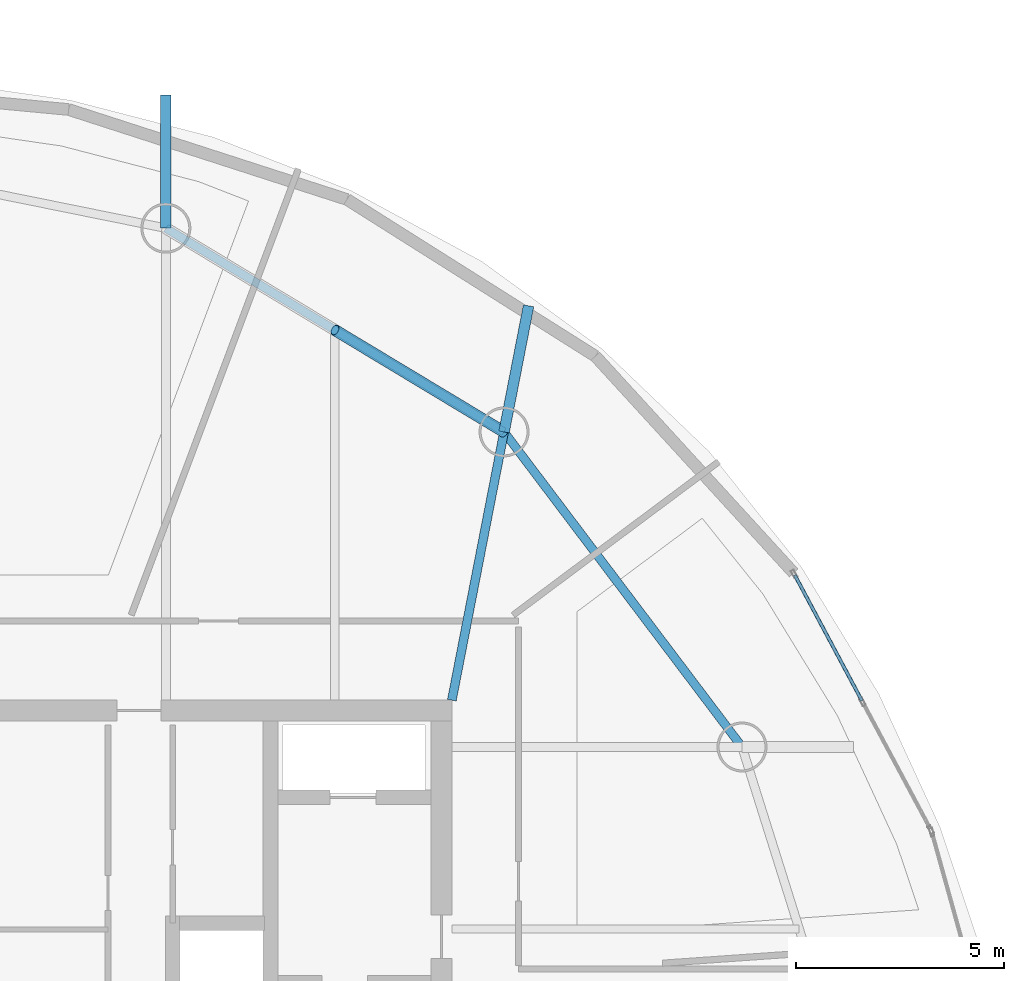
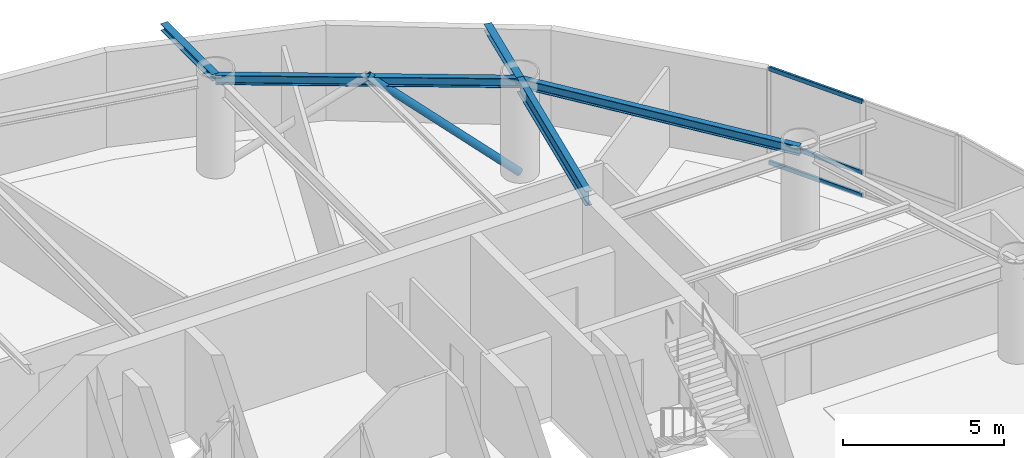
# One storey, part 14 of 22: 5 beams, 4 members, 1 element without a shape of its own.
"""IFC4 building model written with IfcOpenShell, lengths in metres."""

from ifc_helpers import new_model, si_unit, direction, frame, origin, origin_2d, place, context, subcontext, project, spatial, hollow_rectangle, hollow_circle, i_section, extrude, material, layer, layer_set, material_profile, profile_set, type_object, element, aggregate, save


model = new_model("IFC4")

# Units and contexts
model_context = context("Model", 3, precision=1e-05, world=origin(), true_north=direction((0.0, 1.0)))
body_context = subcontext(model_context, "Body", "Model", "MODEL_VIEW")
ifc_project = project(units=[si_unit("LENGTHUNIT", "METRE"), si_unit("AREAUNIT", "SQUARE_METRE"), si_unit("VOLUMEUNIT", "CUBIC_METRE"), si_unit("PLANEANGLEUNIT", "RADIAN"), si_unit("MASSUNIT", "GRAM", prefix="KILO")], contexts=[model_context])

# Site, building, storey
site_placement = place(None, origin())
site = spatial("IfcSite", under=ifc_project, at=site_placement, CompositionType="ELEMENT")
building_placement = place(site_placement, origin())
building = spatial("IfcBuilding", under=site, at=building_placement, Name="Bramvorn Convention Spire", CompositionType="ELEMENT")
storey_placement = place(building_placement, frame((0.0, 0.0, 190.449951171875)))
storey = spatial("IfcBuildingStorey", under=building, at=storey_placement, Name="L48", CompositionType="ELEMENT", Elevation=190.449951171875)

# Beams
ifc_material_1 = material(Name="Steel CSA G40.21 Grade 350 (350W)", Category="steel")
ifc_material_profile_1 = material_profile(ifc_material_1, i_section(OverallWidth=0.25390625, OverallDepth=0.2529296875, WebThickness=0.008544921875, FlangeThickness=0.01416015625, FilletRadius=0.011962890625, at=origin_2d()))
ifc_profile_set_1 = profile_set([ifc_material_profile_1], Name="Steel CSA G40.21 Grade 350 (350W) - W250X73")
beam_type_1 = type_object("IfcBeamType", Name="BM-W250X73", PredefinedType="BEAM", material=ifc_profile_set_1)
beam_1_placement = place(storey_placement, frame((50.501953125, 39.885009765625, 3.49365234375), z_axis=(0.190979906738, 0.981593946203, 0.0), x_axis=(-0.981593946203, 0.190979906738, 0.0)))
element("IfcBeam", 1, at=beam_1_placement, inside=storey, type_object=beam_type_1, Name="L48 slab-edge cantilever tip beam MC05", PredefinedType="BEAM", context=body_context, shape_type="SweptSolid", body=[
    extrude(i_section(OverallWidth=0.25390625, OverallDepth=0.2529296875, WebThickness=0.008544921875, FlangeThickness=0.01416015625, FilletRadius=0.011962890625, at=origin_2d()), origin(), (0.0, 0.0, 1.0), 3.08203125),
])
beam_2_placement = place(storey_placement, frame((42.38916015625, 44.772216796875, 3.49365234375), z_axis=(0.0, 1.0, 0.0), x_axis=(-1.0, 0.0, 0.0)))
element("IfcBeam", 2, at=beam_2_placement, inside=storey, type_object=beam_type_1, Name="L48 slab-edge cantilever tip beam MC06", PredefinedType="BEAM", context=body_context, shape_type="SweptSolid", body=[
    extrude(i_section(OverallWidth=0.25390625, OverallDepth=0.2529296875, WebThickness=0.008544921875, FlangeThickness=0.01416015625, FilletRadius=0.011962890625, at=origin_2d()), origin(), (0.0, 0.0, 1.0), 3.199951171875),
])
ifc_material_profile_2 = material_profile(ifc_material_1, i_section(OverallWidth=0.205078125, OverallDepth=0.35400390625, WebThickness=0.009521484375, FlangeThickness=0.016845703125, FilletRadius=0.014892578125, at=origin_2d()))
ifc_profile_set_2 = profile_set([ifc_material_profile_2], Name="Steel CSA G40.21 Grade 350 (350W) - W360X79")
beam_type_2 = type_object("IfcBeamType", Name="BM-W360X79", PredefinedType="JOIST", material=ifc_profile_set_2)
for number, where, z_axis, x_axis, name in (
    (3, (56.21044921875, 32.327392578125, 3.443115234375), (-0.602718581414, 0.797953827999, 0.0), (-0.797953827999, -0.602718581414, 0.0), "L48 mega-column ring beam 04"),
    (4, (50.501953125, 39.885009765625, 3.443115234375), (-0.856581795745, 0.516011266543, 0.0), (-0.516011266543, -0.856581795745, 0.0), "L48 mega-column ring beam 05"),
):
    element("IfcBeam", number, at=place(storey_placement, frame(where, z_axis=z_axis, x_axis=x_axis)), inside=storey, type_object=beam_type_2, Name=name, PredefinedType="JOIST", context=body_context, shape_type="SweptSolid", body=[
        extrude(i_section(OverallWidth=0.205078125, OverallDepth=0.35400390625, WebThickness=0.009521484375, FlangeThickness=0.016845703125, FilletRadius=0.014892578125, at=origin_2d()), origin(), (0.0, 0.0, 1.0), 9.47119140625),
    ])
ifc_material_profile_3 = material_profile(ifc_material_1, i_section(OverallWidth=0.2119140625, OverallDepth=0.5439453125, WebThickness=0.01318359375, FlangeThickness=0.021240234375, FilletRadius=0.01904296875, at=origin_2d()))
ifc_profile_set_3 = profile_set([ifc_material_profile_3], Name="Steel CSA G40.21 Grade 350 (350W) - W530X123")
beam_type_3 = type_object("IfcBeamType", Name="BM-W530X123", PredefinedType="BEAM", material=ifc_profile_set_3)
beam_3_placement = place(storey_placement, frame((49.25, 33.449951171875, 3.34814453125), z_axis=(0.190971329886, 0.981595614885, 0.0), x_axis=(-0.981595614885, 0.190971329886, 0.0)))
element("IfcBeam", 5, at=beam_3_placement, inside=storey, type_object=beam_type_3, Name="L48 radial floor girder MC05", PredefinedType="BEAM", context=body_context, shape_type="SweptSolid", body=[
    extrude(i_section(OverallWidth=0.2119140625, OverallDepth=0.5439453125, WebThickness=0.01318359375, FlangeThickness=0.021240234375, FilletRadius=0.01904296875, at=origin_2d()), origin(), (0.0, 0.0, 1.0), 6.5556640625),
])

# Curtain wall, members
ifc_material_2 = material(Name="Anodised Bronze Unitised Curtain Wall", Category="aluminium")
ifc_layer = layer(ifc_material_2, 0.179931640625)
ifc_layer_set = layer_set([ifc_layer], Name="Anodised Bronze Unitised Curtain Wall - CW-OFF-FRIT")
curtain_wall_type = type_object("IfcCurtainWallType", Name="CW-OFF-FRIT", PredefinedType="USERDEFINED", material=ifc_layer_set)
curtain_wall_placement = place(storey_placement, origin())
curtain_wall = element("IfcCurtainWall", 6, at=curtain_wall_placement, inside=storey, type_object=curtain_wall_type, Name="L48 fritted glass curtain wall 05", ObjectType="UNITISED CURTAIN WALL", PredefinedType="USERDEFINED")
ifc_material_3 = material(Name="Anodised Bronze Aluminium 6063-T6", Category="aluminium")
ifc_material_profile_4 = material_profile(ifc_material_3, hollow_rectangle(XDim=0.080078125, YDim=0.159912109375, WallThickness=0.00390625, InnerFilletRadius=0.0009765625, OuterFilletRadius=0.00390625, at=origin_2d()))
ifc_profile_set_4 = profile_set([ifc_material_profile_4], Name="Anodised Bronze Aluminium 6063-T6 - CWT80X160")
member_type_1 = type_object("IfcMemberType", Name="CW-TRN-150", PredefinedType="USERDEFINED", material=ifc_profile_set_4)
member_1_placement = place(storey_placement, frame((57.476806640625, 36.450439453125, 0.030029296875), z_axis=(0.471158917482, -0.882048340215, 0.0), x_axis=(0.882048340215, 0.471158917482, 0.0)))
member_1 = element("IfcMember", 7, at=member_1_placement, type_object=member_type_1, Name="CW3 transom 1.1", ObjectType="TRANSOM", PredefinedType="USERDEFINED", context=body_context, shape_type="SweptSolid", body=[
    extrude(hollow_rectangle(XDim=0.080078125, YDim=0.159912109375, WallThickness=0.00390625, InnerFilletRadius=0.0009765625, OuterFilletRadius=0.00390625, at=origin_2d()), origin(), (0.0, 0.0, 1.0), 3.4189453125),
])
member_2_placement = place(storey_placement, frame((57.476806640625, 36.450439453125, 0.900146484375), z_axis=(0.471158917482, -0.882048340215, 0.0), x_axis=(0.882048340215, 0.471158917482, 0.0)))
member_2 = element("IfcMember", 8, at=member_2_placement, type_object=member_type_1, Name="CW3 transom 1.2", ObjectType="TRANSOM", PredefinedType="USERDEFINED", context=body_context, shape_type="SweptSolid", body=[
    extrude(hollow_rectangle(XDim=0.080078125, YDim=0.159912109375, WallThickness=0.00390625, InnerFilletRadius=0.0009765625, OuterFilletRadius=0.00390625, at=origin_2d()), origin(), (0.0, 0.0, 1.0), 3.4189453125),
])
member_3_placement = place(storey_placement, frame((57.476806640625, 36.450439453125, 3.590087890625), z_axis=(0.471158917482, -0.882048340215, 0.0), x_axis=(0.882048340215, 0.471158917482, 0.0)))
member_3 = element("IfcMember", 9, at=member_3_placement, type_object=member_type_1, Name="CW3 transom 1.3", ObjectType="TRANSOM", PredefinedType="USERDEFINED", context=body_context, shape_type="SweptSolid", body=[
    extrude(hollow_rectangle(XDim=0.080078125, YDim=0.159912109375, WallThickness=0.00390625, InnerFilletRadius=0.0009765625, OuterFilletRadius=0.00390625, at=origin_2d()), origin(), (0.0, 0.0, 1.0), 3.4189453125),
])
aggregate(curtain_wall, [member_1, member_2, member_3])

# Member
ifc_material_profile_5 = material_profile(ifc_material_1, hollow_circle(Radius=0.136474609375, WallThickness=0.0126953125, at=origin_2d()))
ifc_profile_set_5 = profile_set([ifc_material_profile_5], Name="Steel CSA G40.21 Grade 350 (350W) - CHS273X13")
member_type_2 = type_object("IfcMemberType", Name="MBR-CHS273X13", PredefinedType="BRACE", material=ifc_profile_set_5)
member_4_placement = place(storey_placement, frame((50.501953125, 39.885009765625, 0.0), z_axis=(-0.680515326129, 0.409947511238, 0.607323578443), x_axis=(-0.516011266543, -0.856581795745, 0.0)))
element("IfcMember", 10, at=member_4_placement, inside=storey, type_object=member_type_2, Name="L48 perimeter Gothic lancet brace 5A", PredefinedType="BRACE", context=body_context, shape_type="SweptSolid", body=[
    extrude(hollow_circle(Radius=0.136474609375, WallThickness=0.0126953125, at=origin_2d()), origin(), (0.0, 0.0, 1.0), 5.960693359375),
])

save(model, "model.ifc")
